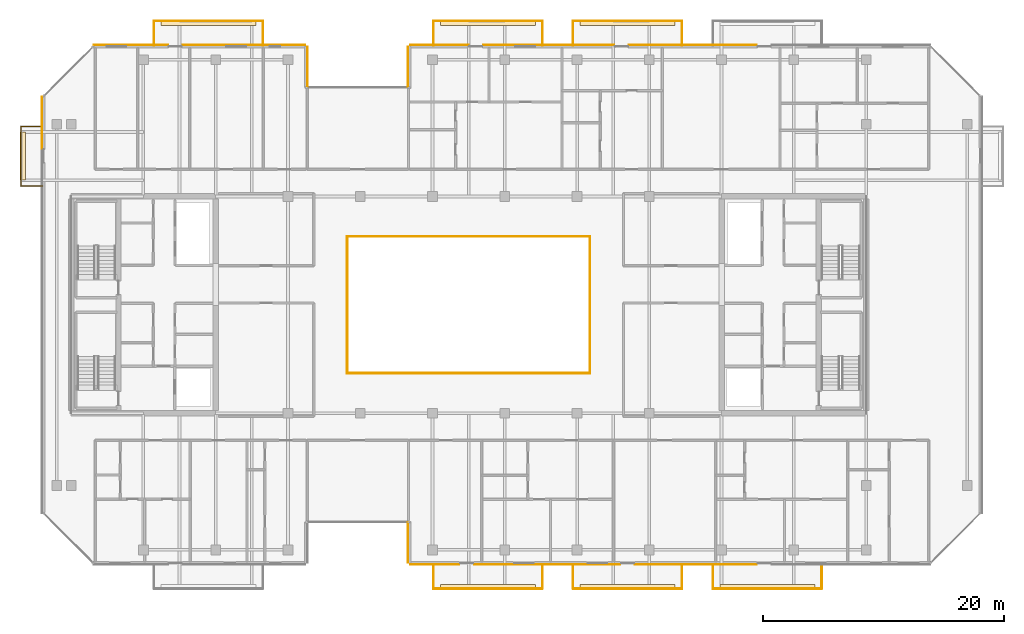
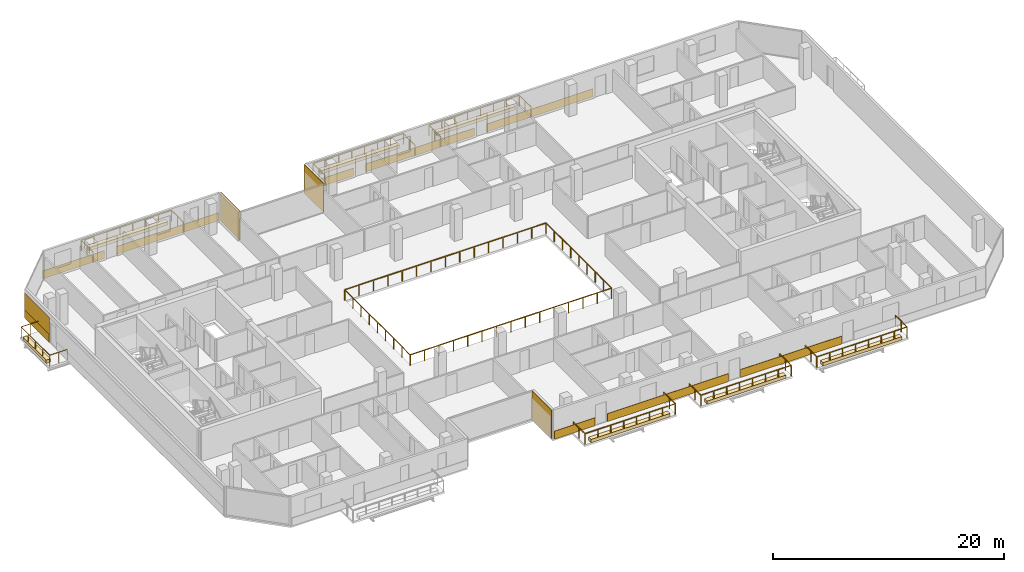
# One storey, part 27 of 29: 20 coverings, 9 railings.
"""IFC4 building model written with IfcOpenShell, lengths in metres."""

from ifc_helpers import new_model, si_unit, direction, frame, origin, origin_2d, place, context, subcontext, project, spatial, polyline, rectangle, outline, extrude, material, layer, layer_set, type_object, element, save


model = new_model("IFC4")

# Units and contexts
model_context = context("Model", 3, precision=1e-05, world=origin(), true_north=direction((0.0, 1.0)))
body_context = subcontext(model_context, "Body", "Model", "MODEL_VIEW")
ifc_project = project(units=[si_unit("LENGTHUNIT", "METRE"), si_unit("AREAUNIT", "SQUARE_METRE"), si_unit("VOLUMEUNIT", "CUBIC_METRE"), si_unit("PLANEANGLEUNIT", "RADIAN"), si_unit("MASSUNIT", "GRAM", prefix="KILO")], contexts=[model_context])

# Site, building, storey
site_placement = place(None, origin())
site = spatial("IfcSite", under=ifc_project, at=site_placement, CompositionType="ELEMENT")
building_placement = place(site_placement, origin())
building = spatial("IfcBuilding", under=site, at=building_placement, Name="Tanjung Sevakor Pilgrim Tower", CompositionType="ELEMENT")
storey_placement = place(building_placement, frame((0.0, 0.0, 188.429931640625)))
storey = spatial("IfcBuildingStorey", under=building, at=storey_placement, Name="L52", CompositionType="ELEMENT", Elevation=188.429931640625)

# Coverings
ifc_material_1 = material(Name="Reconstructed Limestone Cladding", Category="masonry")
ifc_layer_1 = layer(ifc_material_1, 0.044921875)
ifc_layer_set_1 = layer_set([ifc_layer_1], Name="COV-CLAD-LIMESTONE")
covering_type_1 = type_object("IfcCoveringType", Name="COV-CLAD-LIMESTONE", PredefinedType="CLADDING", material=ifc_layer_set_1)
covering_1_placement = place(storey_placement, frame((51.9775390625, 13.860107421875, 0.02001953125), z_axis=(0.0, 0.0, 1.0), x_axis=(0.0, -1.0, 0.0)))
element("IfcCovering", 1, at=covering_1_placement, inside=storey, type_object=covering_type_1, Name="L52 Warm Limestone Wall Cladding EW-L52-MAIN-4", PredefinedType="CLADDING", context=body_context, shape_type="SweptSolid", body=[
    extrude(rectangle(XDim=3.360107421875, YDim=0.044921875, at=origin_2d()), origin(), (0.0, 0.0, 1.0), 3.0400390625),
])
covering_2_placement = place(storey_placement, frame((54.195068359375, 12.027587890625, 0.01025390625), z_axis=(0.0, 0.0, 1.0), x_axis=(1.0, 0.0, 0.0)))
element("IfcCovering", 2, at=covering_2_placement, inside=storey, type_object=covering_type_1, Name="L52 Warm Limestone Sill Spandrel EW-L52-MAIN-5-1", PredefinedType="CLADDING", context=body_context, shape_type="SweptSolid", body=[
    extrude(rectangle(XDim=4.090087890625, YDim=0.044921875, at=origin_2d()), origin(), (0.0, 0.0, 1.0), 0.840087890625),
])
covering_3_placement = place(storey_placement, frame((63.52490234375, 12.027587890625, 0.01025390625), z_axis=(0.0, 0.0, 1.0), x_axis=(1.0, 0.0, 0.0)))
element("IfcCovering", 3, at=covering_3_placement, inside=storey, type_object=covering_type_1, Name="L52 Warm Limestone Sill Spandrel EW-L52-MAIN-5-2", PredefinedType="CLADDING", context=body_context, shape_type="SweptSolid", body=[
    extrude(rectangle(XDim=12.1298828125, YDim=0.044921875, at=origin_2d()), origin(), (0.0, 0.0, 1.0), 0.840087890625),
])
covering_4_placement = place(storey_placement, frame((75.875, 12.027587890625, 0.01025390625), z_axis=(0.0, 0.0, 1.0), x_axis=(1.0, 0.0, 0.0)))
element("IfcCovering", 4, at=covering_4_placement, inside=storey, type_object=covering_type_1, Name="L52 Warm Limestone Sill Spandrel EW-L52-MAIN-5-3", PredefinedType="CLADDING", context=body_context, shape_type="SweptSolid", body=[
    extrude(rectangle(XDim=10.1298828125, YDim=0.044921875, at=origin_2d()), origin(), (0.0, 0.0, 1.0), 0.840087890625),
])
covering_5_placement = place(storey_placement, frame((75.625, 55.172607421875, 0.01025390625), z_axis=(0.0, 0.0, 1.0), x_axis=(-1.0, 0.0, 0.0)))
element("IfcCovering", 5, at=covering_5_placement, inside=storey, type_object=covering_type_1, Name="L52 Warm Limestone Sill Spandrel EW-L52-MAIN-9-2", PredefinedType="CLADDING", context=body_context, shape_type="SweptSolid", body=[
    extrude(rectangle(XDim=10.6298828125, YDim=0.044921875, at=origin_2d()), origin(), (0.0, 0.0, 1.0), 0.840087890625),
])
covering_6_placement = place(storey_placement, frame((63.64990234375, 55.172607421875, 0.01025390625), z_axis=(0.0, 0.0, 1.0), x_axis=(-1.0, 0.0, 0.0)))
element("IfcCovering", 6, at=covering_6_placement, inside=storey, type_object=covering_type_1, Name="L52 Warm Limestone Sill Spandrel EW-L52-MAIN-9-3", PredefinedType="CLADDING", context=body_context, shape_type="SweptSolid", body=[
    extrude(rectangle(XDim=10.8798828125, YDim=0.044921875, at=origin_2d()), origin(), (0.0, 0.0, 1.0), 0.840087890625),
])
covering_7_placement = place(storey_placement, frame((54.570068359375, 55.172607421875, 0.01025390625), z_axis=(0.0, 0.0, 1.0), x_axis=(-1.0, 0.0, 0.0)))
element("IfcCovering", 7, at=covering_7_placement, inside=storey, type_object=covering_type_1, Name="L52 Warm Limestone Sill Spandrel EW-L52-MAIN-9-4", PredefinedType="CLADDING", context=body_context, shape_type="SweptSolid", body=[
    extrude(rectangle(XDim=4.840087890625, YDim=0.044921875, at=origin_2d()), origin(), (0.0, 0.0, 1.0), 0.840087890625),
])
for number, where, z_axis, x_axis, name in (
    (8, (51.9775390625, 53.340087890625, 0.02001953125), (0.0, 0.0, 1.0), (0.0, -1.0, 0.0), "L52 Warm Limestone Wall Cladding EW-L52-MAIN-10"),
    (9, (43.62255859375, 53.340087890625, 0.02001953125), (0.0, 0.0, 1.0), (0.0, 1.0, 0.0), "L52 Warm Limestone Wall Cladding EW-L52-MAIN-12"),
):
    element("IfcCovering", number, at=place(storey_placement, frame(where, z_axis=z_axis, x_axis=x_axis)), inside=storey, type_object=covering_type_1, Name=name, PredefinedType="CLADDING", context=body_context, shape_type="SweptSolid", body=[
        extrude(rectangle(XDim=3.360107421875, YDim=0.044921875, at=origin_2d()), origin(), (0.0, 0.0, 1.0), 3.0400390625),
    ])
covering_8_placement = place(storey_placement, frame((38.35498046875, 55.172607421875, 0.01025390625), z_axis=(0.0, 0.0, 1.0), x_axis=(-1.0, 0.0, 0.0)))
element("IfcCovering", 10, at=covering_8_placement, inside=storey, type_object=covering_type_1, Name="L52 Warm Limestone Sill Spandrel EW-L52-MAIN-13-1", PredefinedType="CLADDING", context=body_context, shape_type="SweptSolid", body=[
    extrude(rectangle(XDim=10.18994140625, YDim=0.044921875, at=origin_2d()), origin(), (0.0, 0.0, 1.0), 0.840087890625),
])
covering_9_placement = place(storey_placement, frame((28.962890625, 55.172607421875, 0.01025390625), z_axis=(0.0, 0.0, 1.0), x_axis=(-1.0, 0.0, 0.0)))
element("IfcCovering", 11, at=covering_9_placement, inside=storey, type_object=covering_type_1, Name="L52 Warm Limestone Sill Spandrel EW-L52-MAIN-13-2", PredefinedType="CLADDING", context=body_context, shape_type="SweptSolid", body=[
    extrude(rectangle(XDim=6.154296875, YDim=0.044921875, at=origin_2d()), origin(), (0.0, 0.0, 1.0), 0.840087890625),
])
covering_10_placement = place(storey_placement, frame((21.577392578125, 48.712158203125, 0.01025390625), z_axis=(0.0, 0.0, 1.0), x_axis=(0.0, -1.0, 0.0)))
element("IfcCovering", 12, at=covering_10_placement, inside=storey, type_object=covering_type_1, Name="L52 Warm Limestone Sill Spandrel EW-L52-MAIN-15-1", PredefinedType="CLADDING", context=body_context, shape_type="SweptSolid", body=[
    extrude(rectangle(XDim=4.304443359375, YDim=0.044921875, at=origin_2d()), origin(), (0.0, 0.0, 1.0), 0.840087890625),
])
covering_11_placement = place(storey_placement, frame((21.577392578125, 48.707275390625, 0.85009765625), z_axis=(0.0, 0.0, 1.0), x_axis=(0.0, -1.0, 0.0)))
element("IfcCovering", 13, at=covering_11_placement, inside=storey, type_object=covering_type_1, Name="L52 Warm Limestone Pier Panel EW-L52-MAIN-15-1", PredefinedType="CLADDING", context=body_context, shape_type="SweptSolid", body=[
    extrude(rectangle(XDim=4.314453125, YDim=0.044921875, at=origin_2d()), origin(), (0.0, 0.0, 1.0), 1.81005859375),
])
ifc_material_2 = material(Name="Vegetated Modular Planter Assembly", Category="organic")
ifc_layer_2 = layer(ifc_material_2, 0.35009765625)
ifc_layer_set_2 = layer_set([ifc_layer_2], Name="COV-GRN-TROUGH")
covering_type_2 = type_object("IfcCoveringType", Name="COV-GRN-TROUGH", PredefinedType="CLADDING", material=ifc_layer_set_2)
covering_12_placement = place(storey_placement, origin())
element("IfcCovering", 14, at=covering_12_placement, inside=storey, type_object=covering_type_2, Name="L52 Planted Landscape Hedge Trough BGRN-L52-MAIN-N1", PredefinedType="CLADDING", context=body_context, shape_type="SweptSolid", body=[
    extrude(outline(polyline([(31.449951171875, 56.81005859375), (39.35009765625, 56.81005859375), (39.35009765625, 57.25), (31.449951171875, 57.25), (31.449951171875, 56.81005859375)])), origin(), (0.0, 0.0, 1.0), 0.35009765625),
])
covering_13_placement = place(storey_placement, origin())
element("IfcCovering", 15, at=covering_13_placement, inside=storey, type_object=covering_type_2, Name="L52 Planted Landscape Hedge Trough BGRN-L52-MAIN-S2", PredefinedType="CLADDING", context=body_context, shape_type="SweptSolid", body=[
    extrude(outline(polyline([(54.64990234375, 9.949951171875), (62.550048828125, 9.949951171875), (62.550048828125, 10.389892578125), (54.64990234375, 10.389892578125), (54.64990234375, 9.949951171875)])), origin(), (0.0, 0.0, 1.0), 0.35009765625),
])
covering_14_placement = place(storey_placement, origin())
element("IfcCovering", 16, at=covering_14_placement, inside=storey, type_object=covering_type_2, Name="L52 Planted Landscape Hedge Trough BGRN-L52-MAIN-N2", PredefinedType="CLADDING", context=body_context, shape_type="SweptSolid", body=[
    extrude(outline(polyline([(54.64990234375, 56.81005859375), (62.550048828125, 56.81005859375), (62.550048828125, 57.25), (54.64990234375, 57.25), (54.64990234375, 56.81005859375)])), origin(), (0.0, 0.0, 1.0), 0.35009765625),
])
covering_15_placement = place(storey_placement, origin())
element("IfcCovering", 17, at=covering_15_placement, inside=storey, type_object=covering_type_2, Name="L52 Planted Landscape Hedge Trough BGRN-L52-MAIN-S3", PredefinedType="CLADDING", context=body_context, shape_type="SweptSolid", body=[
    extrude(outline(polyline([(66.25, 9.949951171875), (74.14990234375, 9.949951171875), (74.14990234375, 10.389892578125), (66.25, 10.389892578125), (66.25, 9.949951171875)])), origin(), (0.0, 0.0, 1.0), 0.35009765625),
])
covering_16_placement = place(storey_placement, origin())
element("IfcCovering", 18, at=covering_16_placement, inside=storey, type_object=covering_type_2, Name="L52 Planted Landscape Hedge Trough BGRN-L52-MAIN-N3", PredefinedType="CLADDING", context=body_context, shape_type="SweptSolid", body=[
    extrude(outline(polyline([(66.25, 56.81005859375), (74.14990234375, 56.81005859375), (74.14990234375, 57.25), (66.25, 57.25), (66.25, 56.81005859375)])), origin(), (0.0, 0.0, 1.0), 0.35009765625),
])
covering_17_placement = place(storey_placement, origin())
element("IfcCovering", 19, at=covering_17_placement, inside=storey, type_object=covering_type_2, Name="L52 Planted Landscape Hedge Trough BGRN-L52-MAIN-S4", PredefinedType="CLADDING", context=body_context, shape_type="SweptSolid", body=[
    extrude(outline(polyline([(77.85009765625, 9.949951171875), (85.75, 9.949951171875), (85.75, 10.389892578125), (77.85009765625, 10.389892578125), (77.85009765625, 9.949951171875)])), origin(), (0.0, 0.0, 1.0), 0.35009765625),
])
covering_18_placement = place(storey_placement, origin())
element("IfcCovering", 20, at=covering_18_placement, inside=storey, type_object=covering_type_2, Name="L52 Planted Landscape Hedge Trough BGRN-L52-MAIN-W1", PredefinedType="CLADDING", context=body_context, shape_type="SweptSolid", body=[
    extrude(outline(polyline([(20.18994140625, 43.949951171875), (20.18994140625, 47.949951171875), (19.75, 47.949951171875), (19.75, 43.949951171875), (20.18994140625, 43.949951171875)])), origin(), (0.0, 0.0, 1.0), 0.35009765625),
])

# Railings
ifc_material_3 = material(Name="Laminated Glass and Aluminium", Category="aluminium")
railing_type = type_object("IfcRailingType", Name="RL-BAL-BALUST", PredefinedType="BALUSTRADE", material=ifc_material_3)
railing_1_placement = place(storey_placement, frame((46.919921875, 27.919921875, 0.0)))
element("IfcRailing", 21, at=railing_1_placement, inside=storey, type_object=railing_type, Name="L52 Void Opening Balustrade 1A", PredefinedType="BALUSTRADE", context=body_context, shape_type="SweptSolid", body=[
    extrude(rectangle(XDim=0.0479, YDim=0.0479), frame((0.0, 0.0, 1.1259765625), z_axis=(1.0, 0.0, 0.0), x_axis=(0.0, 1.0, 0.0)), (0.0, 0.0, 1.0), 20.16015625),
    extrude(rectangle(XDim=0.0479, YDim=0.0479), frame((20.16015625, 0.0, 1.1259765625), z_axis=(0.0, 1.0, 0.0), x_axis=(-1.0, 0.0, 0.0)), (0.0, 0.0, 1.0), 11.360107421875),
    extrude(rectangle(XDim=0.042, YDim=0.042), origin(), (0.0, 0.0, 1.0), 1.101806640625),
    extrude(rectangle(XDim=0.042, YDim=0.042), frame((1.43994140625, 0.0, 0.0)), (0.0, 0.0, 1.0), 1.101806640625),
    extrude(rectangle(XDim=0.042, YDim=0.042), frame((2.880126953125, 0.0, 0.0)), (0.0, 0.0, 1.0), 1.101806640625),
    extrude(rectangle(XDim=0.042, YDim=0.042), frame((4.320068359375, 0.0, 0.0)), (0.0, 0.0, 1.0), 1.101806640625),
    extrude(rectangle(XDim=0.042, YDim=0.042), frame((5.760009765625, 0.0, 0.0)), (0.0, 0.0, 1.0), 1.101806640625),
    extrude(rectangle(XDim=0.042, YDim=0.042), frame((7.199951171875, 0.0, 0.0)), (0.0, 0.0, 1.0), 1.101806640625),
    extrude(rectangle(XDim=0.042, YDim=0.042), frame((8.64013671875, 0.0, 0.0)), (0.0, 0.0, 1.0), 1.101806640625),
    extrude(rectangle(XDim=0.042, YDim=0.042), frame((10.080078125, 0.0, 0.0)), (0.0, 0.0, 1.0), 1.101806640625),
    extrude(rectangle(XDim=0.042, YDim=0.042), frame((11.52001953125, 0.0, 0.0)), (0.0, 0.0, 1.0), 1.101806640625),
    extrude(rectangle(XDim=0.042, YDim=0.042), frame((12.960205078125, 0.0, 0.0)), (0.0, 0.0, 1.0), 1.101806640625),
    extrude(rectangle(XDim=0.042, YDim=0.042), frame((14.400146484375, 0.0, 0.0)), (0.0, 0.0, 1.0), 1.101806640625),
    extrude(rectangle(XDim=0.042, YDim=0.042), frame((15.840087890625, 0.0, 0.0)), (0.0, 0.0, 1.0), 1.101806640625),
    extrude(rectangle(XDim=0.042, YDim=0.042), frame((17.280029296875, 0.0, 0.0)), (0.0, 0.0, 1.0), 1.101806640625),
    extrude(rectangle(XDim=0.042, YDim=0.042), frame((18.72021484375, 0.0, 0.0)), (0.0, 0.0, 1.0), 1.101806640625),
    extrude(rectangle(XDim=0.042, YDim=0.042), frame((20.16015625, 0.0, 0.0)), (0.0, 0.0, 1.0), 1.101806640625),
    extrude(rectangle(XDim=0.042, YDim=0.042), frame((20.16015625, 1.419921875, 0.0)), (0.0, 0.0, 1.0), 1.101806640625),
    extrude(rectangle(XDim=0.042, YDim=0.042), frame((20.16015625, 2.840087890625, 0.0)), (0.0, 0.0, 1.0), 1.101806640625),
    extrude(rectangle(XDim=0.042, YDim=0.042), frame((20.16015625, 4.260009765625, 0.0)), (0.0, 0.0, 1.0), 1.101806640625),
    extrude(rectangle(XDim=0.042, YDim=0.042), frame((20.16015625, 5.68017578125, 0.0)), (0.0, 0.0, 1.0), 1.101806640625),
    extrude(rectangle(XDim=0.042, YDim=0.042), frame((20.16015625, 7.10009765625, 0.0)), (0.0, 0.0, 1.0), 1.101806640625),
    extrude(rectangle(XDim=0.042, YDim=0.042), frame((20.16015625, 8.52001953125, 0.0)), (0.0, 0.0, 1.0), 1.101806640625),
    extrude(rectangle(XDim=0.042, YDim=0.042), frame((20.16015625, 9.940185546875, 0.0)), (0.0, 0.0, 1.0), 1.101806640625),
    extrude(rectangle(XDim=0.042, YDim=0.042), frame((20.16015625, 11.360107421875, 0.0)), (0.0, 0.0, 1.0), 1.101806640625),
])
railing_2_placement = place(storey_placement, frame((67.080078125, 39.280029296875, 0.0)))
element("IfcRailing", 22, at=railing_2_placement, inside=storey, type_object=railing_type, Name="L52 Void Opening Balustrade 1B", PredefinedType="BALUSTRADE", context=body_context, shape_type="SweptSolid", body=[
    extrude(rectangle(XDim=0.0479, YDim=0.0479), frame((0.0, 0.0, 1.1259765625), z_axis=(-1.0, 0.0, 0.0), x_axis=(0.0, -1.0, 0.0)), (0.0, 0.0, 1.0), 20.16015625),
    extrude(rectangle(XDim=0.0479, YDim=0.0479), frame((-20.16015625, 0.0, 1.1259765625), z_axis=(0.0, -1.0, 0.0), x_axis=(1.0, 0.0, 0.0)), (0.0, 0.0, 1.0), 11.360107421875),
    extrude(rectangle(XDim=0.042, YDim=0.042), origin(), (0.0, 0.0, 1.0), 1.101806640625),
    extrude(rectangle(XDim=0.042, YDim=0.042), frame((-1.43994140625, 0.0, 0.0)), (0.0, 0.0, 1.0), 1.101806640625),
    extrude(rectangle(XDim=0.042, YDim=0.042), frame((-2.880126953125, 0.0, 0.0)), (0.0, 0.0, 1.0), 1.101806640625),
    extrude(rectangle(XDim=0.042, YDim=0.042), frame((-4.320068359375, 0.0, 0.0)), (0.0, 0.0, 1.0), 1.101806640625),
    extrude(rectangle(XDim=0.042, YDim=0.042), frame((-5.760009765625, 0.0, 0.0)), (0.0, 0.0, 1.0), 1.101806640625),
    extrude(rectangle(XDim=0.042, YDim=0.042), frame((-7.199951171875, 0.0, 0.0)), (0.0, 0.0, 1.0), 1.101806640625),
    extrude(rectangle(XDim=0.042, YDim=0.042), frame((-8.64013671875, 0.0, 0.0)), (0.0, 0.0, 1.0), 1.101806640625),
    extrude(rectangle(XDim=0.042, YDim=0.042), frame((-10.080078125, 0.0, 0.0)), (0.0, 0.0, 1.0), 1.101806640625),
    extrude(rectangle(XDim=0.042, YDim=0.042), frame((-11.52001953125, 0.0, 0.0)), (0.0, 0.0, 1.0), 1.101806640625),
    extrude(rectangle(XDim=0.042, YDim=0.042), frame((-12.960205078125, 0.0, 0.0)), (0.0, 0.0, 1.0), 1.101806640625),
    extrude(rectangle(XDim=0.042, YDim=0.042), frame((-14.400146484375, 0.0, 0.0)), (0.0, 0.0, 1.0), 1.101806640625),
    extrude(rectangle(XDim=0.042, YDim=0.042), frame((-15.840087890625, 0.0, 0.0)), (0.0, 0.0, 1.0), 1.101806640625),
    extrude(rectangle(XDim=0.042, YDim=0.042), frame((-17.280029296875, 0.0, 0.0)), (0.0, 0.0, 1.0), 1.101806640625),
    extrude(rectangle(XDim=0.042, YDim=0.042), frame((-18.72021484375, 0.0, 0.0)), (0.0, 0.0, 1.0), 1.101806640625),
    extrude(rectangle(XDim=0.042, YDim=0.042), frame((-20.16015625, 0.0, 0.0)), (0.0, 0.0, 1.0), 1.101806640625),
    extrude(rectangle(XDim=0.042, YDim=0.042), frame((-20.16015625, -1.419921875, 0.0)), (0.0, 0.0, 1.0), 1.101806640625),
    extrude(rectangle(XDim=0.042, YDim=0.042), frame((-20.16015625, -2.840087890625, 0.0)), (0.0, 0.0, 1.0), 1.101806640625),
    extrude(rectangle(XDim=0.042, YDim=0.042), frame((-20.16015625, -4.260009765625, 0.0)), (0.0, 0.0, 1.0), 1.101806640625),
    extrude(rectangle(XDim=0.042, YDim=0.042), frame((-20.16015625, -5.68017578125, 0.0)), (0.0, 0.0, 1.0), 1.101806640625),
    extrude(rectangle(XDim=0.042, YDim=0.042), frame((-20.16015625, -7.10009765625, 0.0)), (0.0, 0.0, 1.0), 1.101806640625),
    extrude(rectangle(XDim=0.042, YDim=0.042), frame((-20.16015625, -8.52001953125, 0.0)), (0.0, 0.0, 1.0), 1.101806640625),
    extrude(rectangle(XDim=0.042, YDim=0.042), frame((-20.16015625, -9.940185546875, 0.0)), (0.0, 0.0, 1.0), 1.101806640625),
    extrude(rectangle(XDim=0.042, YDim=0.042), frame((-20.16015625, -11.360107421875, 0.0)), (0.0, 0.0, 1.0), 1.101806640625),
])
railing_3_placement = place(storey_placement, frame((30.8798828125, 55.14990234375, 0.0)))
element("IfcRailing", 23, at=railing_3_placement, inside=storey, type_object=railing_type, Name="L52 Loggia Balustrade MAIN-N1", PredefinedType="BALUSTRADE", context=body_context, shape_type="SweptSolid", body=[
    extrude(rectangle(XDim=0.0479, YDim=0.0479), frame((0.0, 0.0, 1.1259765625), z_axis=(0.0, 1.0, 0.0), x_axis=(-1.0, 0.0, 0.0)), (0.0, 0.0, 1.0), 2.02001953125),
    extrude(rectangle(XDim=0.0479, YDim=0.0479), frame((0.0, 2.02001953125, 1.1259765625), z_axis=(1.0, 0.0, 0.0), x_axis=(0.0, 1.0, 0.0)), (0.0, 0.0, 1.0), 9.0400390625),
    extrude(rectangle(XDim=0.0479, YDim=0.0479), frame((9.0400390625, 2.02001953125, 1.1259765625), z_axis=(0.0, -1.0, 0.0), x_axis=(1.0, 0.0, 0.0)), (0.0, 0.0, 1.0), 2.02001953125),
    extrude(rectangle(XDim=0.042, YDim=0.042), origin(), (0.0, 0.0, 1.0), 1.101806640625),
    extrude(rectangle(XDim=0.042, YDim=0.042), frame((0.0, 1.010009765625, 0.0)), (0.0, 0.0, 1.0), 1.101806640625),
    extrude(rectangle(XDim=0.042, YDim=0.042), frame((0.0, 2.02001953125, 0.0)), (0.0, 0.0, 1.0), 1.101806640625),
    extrude(rectangle(XDim=0.042, YDim=0.042), frame((1.29150390625, 2.02001953125, 0.0)), (0.0, 0.0, 1.0), 1.101806640625),
    extrude(rectangle(XDim=0.042, YDim=0.042), frame((2.582763671875, 2.02001953125, 0.0)), (0.0, 0.0, 1.0), 1.101806640625),
    extrude(rectangle(XDim=0.042, YDim=0.042), frame((3.874267578125, 2.02001953125, 0.0)), (0.0, 0.0, 1.0), 1.101806640625),
    extrude(rectangle(XDim=0.042, YDim=0.042), frame((5.165771484375, 2.02001953125, 0.0)), (0.0, 0.0, 1.0), 1.101806640625),
    extrude(rectangle(XDim=0.042, YDim=0.042), frame((6.457275390625, 2.02001953125, 0.0)), (0.0, 0.0, 1.0), 1.101806640625),
    extrude(rectangle(XDim=0.042, YDim=0.042), frame((7.74853515625, 2.02001953125, 0.0)), (0.0, 0.0, 1.0), 1.101806640625),
    extrude(rectangle(XDim=0.042, YDim=0.042), frame((9.0400390625, 2.02001953125, 0.0)), (0.0, 0.0, 1.0), 1.101806640625),
    extrude(rectangle(XDim=0.042, YDim=0.042), frame((9.0400390625, 1.010009765625, 0.0)), (0.0, 0.0, 1.0), 1.101806640625),
    extrude(rectangle(XDim=0.042, YDim=0.042), frame((9.0400390625, 0.0, 0.0)), (0.0, 0.0, 1.0), 1.101806640625),
])
railing_4_placement = place(storey_placement, frame((54.080078125, 12.050048828125, 0.0)))
element("IfcRailing", 24, at=railing_4_placement, inside=storey, type_object=railing_type, Name="L52 Loggia Balustrade MAIN-S2", PredefinedType="BALUSTRADE", context=body_context, shape_type="SweptSolid", body=[
    extrude(rectangle(XDim=0.0479, YDim=0.0479), frame((0.0, 0.0, 1.1259765625), z_axis=(0.0, -1.0, 0.0), x_axis=(1.0, 0.0, 0.0)), (0.0, 0.0, 1.0), 2.02001953125),
    extrude(rectangle(XDim=0.0479, YDim=0.0479), frame((0.0, -2.02001953125, 1.1259765625), z_axis=(1.0, 0.0, 0.0), x_axis=(0.0, 1.0, 0.0)), (0.0, 0.0, 1.0), 9.0400390625),
    extrude(rectangle(XDim=0.0479, YDim=0.0479), frame((9.0400390625, -2.02001953125, 1.1259765625), z_axis=(0.0, 1.0, 0.0), x_axis=(-1.0, 0.0, 0.0)), (0.0, 0.0, 1.0), 2.02001953125),
    extrude(rectangle(XDim=0.042, YDim=0.042), origin(), (0.0, 0.0, 1.0), 1.101806640625),
    extrude(rectangle(XDim=0.042, YDim=0.042), frame((0.0, -1.010009765625, 0.0)), (0.0, 0.0, 1.0), 1.101806640625),
    extrude(rectangle(XDim=0.042, YDim=0.042), frame((0.0, -2.02001953125, 0.0)), (0.0, 0.0, 1.0), 1.101806640625),
    extrude(rectangle(XDim=0.042, YDim=0.042), frame((1.29150390625, -2.02001953125, 0.0)), (0.0, 0.0, 1.0), 1.101806640625),
    extrude(rectangle(XDim=0.042, YDim=0.042), frame((2.582763671875, -2.02001953125, 0.0)), (0.0, 0.0, 1.0), 1.101806640625),
    extrude(rectangle(XDim=0.042, YDim=0.042), frame((3.874267578125, -2.02001953125, 0.0)), (0.0, 0.0, 1.0), 1.101806640625),
    extrude(rectangle(XDim=0.042, YDim=0.042), frame((5.165771484375, -2.02001953125, 0.0)), (0.0, 0.0, 1.0), 1.101806640625),
    extrude(rectangle(XDim=0.042, YDim=0.042), frame((6.457275390625, -2.02001953125, 0.0)), (0.0, 0.0, 1.0), 1.101806640625),
    extrude(rectangle(XDim=0.042, YDim=0.042), frame((7.74853515625, -2.02001953125, 0.0)), (0.0, 0.0, 1.0), 1.101806640625),
    extrude(rectangle(XDim=0.042, YDim=0.042), frame((9.0400390625, -2.02001953125, 0.0)), (0.0, 0.0, 1.0), 1.101806640625),
    extrude(rectangle(XDim=0.042, YDim=0.042), frame((9.0400390625, -1.010009765625, 0.0)), (0.0, 0.0, 1.0), 1.101806640625),
    extrude(rectangle(XDim=0.042, YDim=0.042), frame((9.0400390625, 0.0, 0.0)), (0.0, 0.0, 1.0), 1.101806640625),
])
railing_5_placement = place(storey_placement, frame((54.080078125, 55.14990234375, 0.0)))
element("IfcRailing", 25, at=railing_5_placement, inside=storey, type_object=railing_type, Name="L52 Loggia Balustrade MAIN-N2", PredefinedType="BALUSTRADE", context=body_context, shape_type="SweptSolid", body=[
    extrude(rectangle(XDim=0.0479, YDim=0.0479), frame((0.0, 0.0, 1.1259765625), z_axis=(0.0, 1.0, 0.0), x_axis=(-1.0, 0.0, 0.0)), (0.0, 0.0, 1.0), 2.02001953125),
    extrude(rectangle(XDim=0.0479, YDim=0.0479), frame((0.0, 2.02001953125, 1.1259765625), z_axis=(1.0, 0.0, 0.0), x_axis=(0.0, 1.0, 0.0)), (0.0, 0.0, 1.0), 9.0400390625),
    extrude(rectangle(XDim=0.0479, YDim=0.0479), frame((9.0400390625, 2.02001953125, 1.1259765625), z_axis=(0.0, -1.0, 0.0), x_axis=(1.0, 0.0, 0.0)), (0.0, 0.0, 1.0), 2.02001953125),
    extrude(rectangle(XDim=0.042, YDim=0.042), origin(), (0.0, 0.0, 1.0), 1.101806640625),
    extrude(rectangle(XDim=0.042, YDim=0.042), frame((0.0, 1.010009765625, 0.0)), (0.0, 0.0, 1.0), 1.101806640625),
    extrude(rectangle(XDim=0.042, YDim=0.042), frame((0.0, 2.02001953125, 0.0)), (0.0, 0.0, 1.0), 1.101806640625),
    extrude(rectangle(XDim=0.042, YDim=0.042), frame((1.29150390625, 2.02001953125, 0.0)), (0.0, 0.0, 1.0), 1.101806640625),
    extrude(rectangle(XDim=0.042, YDim=0.042), frame((2.582763671875, 2.02001953125, 0.0)), (0.0, 0.0, 1.0), 1.101806640625),
    extrude(rectangle(XDim=0.042, YDim=0.042), frame((3.874267578125, 2.02001953125, 0.0)), (0.0, 0.0, 1.0), 1.101806640625),
    extrude(rectangle(XDim=0.042, YDim=0.042), frame((5.165771484375, 2.02001953125, 0.0)), (0.0, 0.0, 1.0), 1.101806640625),
    extrude(rectangle(XDim=0.042, YDim=0.042), frame((6.457275390625, 2.02001953125, 0.0)), (0.0, 0.0, 1.0), 1.101806640625),
    extrude(rectangle(XDim=0.042, YDim=0.042), frame((7.74853515625, 2.02001953125, 0.0)), (0.0, 0.0, 1.0), 1.101806640625),
    extrude(rectangle(XDim=0.042, YDim=0.042), frame((9.0400390625, 2.02001953125, 0.0)), (0.0, 0.0, 1.0), 1.101806640625),
    extrude(rectangle(XDim=0.042, YDim=0.042), frame((9.0400390625, 1.010009765625, 0.0)), (0.0, 0.0, 1.0), 1.101806640625),
    extrude(rectangle(XDim=0.042, YDim=0.042), frame((9.0400390625, 0.0, 0.0)), (0.0, 0.0, 1.0), 1.101806640625),
])
railing_6_placement = place(storey_placement, frame((65.679931640625, 12.050048828125, 0.0)))
element("IfcRailing", 26, at=railing_6_placement, inside=storey, type_object=railing_type, Name="L52 Loggia Balustrade MAIN-S3", PredefinedType="BALUSTRADE", context=body_context, shape_type="SweptSolid", body=[
    extrude(rectangle(XDim=0.0479, YDim=0.0479), frame((0.0, 0.0, 1.1259765625), z_axis=(0.0, -1.0, 0.0), x_axis=(1.0, 0.0, 0.0)), (0.0, 0.0, 1.0), 2.02001953125),
    extrude(rectangle(XDim=0.0479, YDim=0.0479), frame((0.0, -2.02001953125, 1.1259765625), z_axis=(1.0, 0.0, 0.0), x_axis=(0.0, 1.0, 0.0)), (0.0, 0.0, 1.0), 9.0400390625),
    extrude(rectangle(XDim=0.0479, YDim=0.0479), frame((9.0400390625, -2.02001953125, 1.1259765625), z_axis=(0.0, 1.0, 0.0), x_axis=(-1.0, 0.0, 0.0)), (0.0, 0.0, 1.0), 2.02001953125),
    extrude(rectangle(XDim=0.042, YDim=0.042), origin(), (0.0, 0.0, 1.0), 1.101806640625),
    extrude(rectangle(XDim=0.042, YDim=0.042), frame((0.0, -1.010009765625, 0.0)), (0.0, 0.0, 1.0), 1.101806640625),
    extrude(rectangle(XDim=0.042, YDim=0.042), frame((0.0, -2.02001953125, 0.0)), (0.0, 0.0, 1.0), 1.101806640625),
    extrude(rectangle(XDim=0.042, YDim=0.042), frame((1.29150390625, -2.02001953125, 0.0)), (0.0, 0.0, 1.0), 1.101806640625),
    extrude(rectangle(XDim=0.042, YDim=0.042), frame((2.582763671875, -2.02001953125, 0.0)), (0.0, 0.0, 1.0), 1.101806640625),
    extrude(rectangle(XDim=0.042, YDim=0.042), frame((3.874267578125, -2.02001953125, 0.0)), (0.0, 0.0, 1.0), 1.101806640625),
    extrude(rectangle(XDim=0.042, YDim=0.042), frame((5.165771484375, -2.02001953125, 0.0)), (0.0, 0.0, 1.0), 1.101806640625),
    extrude(rectangle(XDim=0.042, YDim=0.042), frame((6.457275390625, -2.02001953125, 0.0)), (0.0, 0.0, 1.0), 1.101806640625),
    extrude(rectangle(XDim=0.042, YDim=0.042), frame((7.74853515625, -2.02001953125, 0.0)), (0.0, 0.0, 1.0), 1.101806640625),
    extrude(rectangle(XDim=0.042, YDim=0.042), frame((9.0400390625, -2.02001953125, 0.0)), (0.0, 0.0, 1.0), 1.101806640625),
    extrude(rectangle(XDim=0.042, YDim=0.042), frame((9.0400390625, -1.010009765625, 0.0)), (0.0, 0.0, 1.0), 1.101806640625),
    extrude(rectangle(XDim=0.042, YDim=0.042), frame((9.0400390625, 0.0, 0.0)), (0.0, 0.0, 1.0), 1.101806640625),
])
railing_7_placement = place(storey_placement, frame((65.679931640625, 55.14990234375, 0.0)))
element("IfcRailing", 27, at=railing_7_placement, inside=storey, type_object=railing_type, Name="L52 Loggia Balustrade MAIN-N3", PredefinedType="BALUSTRADE", context=body_context, shape_type="SweptSolid", body=[
    extrude(rectangle(XDim=0.0479, YDim=0.0479), frame((0.0, 0.0, 1.1259765625), z_axis=(0.0, 1.0, 0.0), x_axis=(-1.0, 0.0, 0.0)), (0.0, 0.0, 1.0), 2.02001953125),
    extrude(rectangle(XDim=0.0479, YDim=0.0479), frame((0.0, 2.02001953125, 1.1259765625), z_axis=(1.0, 0.0, 0.0), x_axis=(0.0, 1.0, 0.0)), (0.0, 0.0, 1.0), 9.0400390625),
    extrude(rectangle(XDim=0.0479, YDim=0.0479), frame((9.0400390625, 2.02001953125, 1.1259765625), z_axis=(0.0, -1.0, 0.0), x_axis=(1.0, 0.0, 0.0)), (0.0, 0.0, 1.0), 2.02001953125),
    extrude(rectangle(XDim=0.042, YDim=0.042), origin(), (0.0, 0.0, 1.0), 1.101806640625),
    extrude(rectangle(XDim=0.042, YDim=0.042), frame((0.0, 1.010009765625, 0.0)), (0.0, 0.0, 1.0), 1.101806640625),
    extrude(rectangle(XDim=0.042, YDim=0.042), frame((0.0, 2.02001953125, 0.0)), (0.0, 0.0, 1.0), 1.101806640625),
    extrude(rectangle(XDim=0.042, YDim=0.042), frame((1.29150390625, 2.02001953125, 0.0)), (0.0, 0.0, 1.0), 1.101806640625),
    extrude(rectangle(XDim=0.042, YDim=0.042), frame((2.582763671875, 2.02001953125, 0.0)), (0.0, 0.0, 1.0), 1.101806640625),
    extrude(rectangle(XDim=0.042, YDim=0.042), frame((3.874267578125, 2.02001953125, 0.0)), (0.0, 0.0, 1.0), 1.101806640625),
    extrude(rectangle(XDim=0.042, YDim=0.042), frame((5.165771484375, 2.02001953125, 0.0)), (0.0, 0.0, 1.0), 1.101806640625),
    extrude(rectangle(XDim=0.042, YDim=0.042), frame((6.457275390625, 2.02001953125, 0.0)), (0.0, 0.0, 1.0), 1.101806640625),
    extrude(rectangle(XDim=0.042, YDim=0.042), frame((7.74853515625, 2.02001953125, 0.0)), (0.0, 0.0, 1.0), 1.101806640625),
    extrude(rectangle(XDim=0.042, YDim=0.042), frame((9.0400390625, 2.02001953125, 0.0)), (0.0, 0.0, 1.0), 1.101806640625),
    extrude(rectangle(XDim=0.042, YDim=0.042), frame((9.0400390625, 1.010009765625, 0.0)), (0.0, 0.0, 1.0), 1.101806640625),
    extrude(rectangle(XDim=0.042, YDim=0.042), frame((9.0400390625, 0.0, 0.0)), (0.0, 0.0, 1.0), 1.101806640625),
])
railing_8_placement = place(storey_placement, frame((77.280029296875, 12.050048828125, 0.0)))
element("IfcRailing", 28, at=railing_8_placement, inside=storey, type_object=railing_type, Name="L52 Loggia Balustrade MAIN-S4", PredefinedType="BALUSTRADE", context=body_context, shape_type="SweptSolid", body=[
    extrude(rectangle(XDim=0.0479, YDim=0.0479), frame((0.0, 0.0, 1.1259765625), z_axis=(0.0, -1.0, 0.0), x_axis=(1.0, 0.0, 0.0)), (0.0, 0.0, 1.0), 2.02001953125),
    extrude(rectangle(XDim=0.0479, YDim=0.0479), frame((0.0, -2.02001953125, 1.1259765625), z_axis=(1.0, 0.0, 0.0), x_axis=(0.0, 1.0, 0.0)), (0.0, 0.0, 1.0), 9.0400390625),
    extrude(rectangle(XDim=0.0479, YDim=0.0479), frame((9.0400390625, -2.02001953125, 1.1259765625), z_axis=(0.0, 1.0, 0.0), x_axis=(-1.0, 0.0, 0.0)), (0.0, 0.0, 1.0), 2.02001953125),
    extrude(rectangle(XDim=0.042, YDim=0.042), origin(), (0.0, 0.0, 1.0), 1.101806640625),
    extrude(rectangle(XDim=0.042, YDim=0.042), frame((0.0, -1.010009765625, 0.0)), (0.0, 0.0, 1.0), 1.101806640625),
    extrude(rectangle(XDim=0.042, YDim=0.042), frame((0.0, -2.02001953125, 0.0)), (0.0, 0.0, 1.0), 1.101806640625),
    extrude(rectangle(XDim=0.042, YDim=0.042), frame((1.29150390625, -2.02001953125, 0.0)), (0.0, 0.0, 1.0), 1.101806640625),
    extrude(rectangle(XDim=0.042, YDim=0.042), frame((2.582763671875, -2.02001953125, 0.0)), (0.0, 0.0, 1.0), 1.101806640625),
    extrude(rectangle(XDim=0.042, YDim=0.042), frame((3.874267578125, -2.02001953125, 0.0)), (0.0, 0.0, 1.0), 1.101806640625),
    extrude(rectangle(XDim=0.042, YDim=0.042), frame((5.165771484375, -2.02001953125, 0.0)), (0.0, 0.0, 1.0), 1.101806640625),
    extrude(rectangle(XDim=0.042, YDim=0.042), frame((6.457275390625, -2.02001953125, 0.0)), (0.0, 0.0, 1.0), 1.101806640625),
    extrude(rectangle(XDim=0.042, YDim=0.042), frame((7.74853515625, -2.02001953125, 0.0)), (0.0, 0.0, 1.0), 1.101806640625),
    extrude(rectangle(XDim=0.042, YDim=0.042), frame((9.0400390625, -2.02001953125, 0.0)), (0.0, 0.0, 1.0), 1.101806640625),
    extrude(rectangle(XDim=0.042, YDim=0.042), frame((9.0400390625, -1.010009765625, 0.0)), (0.0, 0.0, 1.0), 1.101806640625),
    extrude(rectangle(XDim=0.042, YDim=0.042), frame((9.0400390625, 0.0, 0.0)), (0.0, 0.0, 1.0), 1.101806640625),
])
railing_9_placement = place(storey_placement, frame((21.60009765625, 43.47998046875, 0.0)))
element("IfcRailing", 29, at=railing_9_placement, inside=storey, type_object=railing_type, Name="L52 Loggia Balustrade MAIN-W1", PredefinedType="BALUSTRADE", context=body_context, shape_type="SweptSolid", body=[
    extrude(rectangle(XDim=0.0479, YDim=0.0479), frame((0.0, 0.0, 1.1259765625), z_axis=(-1.0, 0.0, 0.0), x_axis=(0.0, -1.0, 0.0)), (0.0, 0.0, 1.0), 1.77001953125),
    extrude(rectangle(XDim=0.0479, YDim=0.0479), frame((-1.77001953125, 0.0, 1.1259765625), z_axis=(0.0, 1.0, 0.0), x_axis=(-1.0, 0.0, 0.0)), (0.0, 0.0, 1.0), 4.93994140625),
    extrude(rectangle(XDim=0.0479, YDim=0.0479), frame((-1.77001953125, 4.93994140625, 1.1259765625), z_axis=(1.0, 0.0, 0.0), x_axis=(0.0, 1.0, 0.0)), (0.0, 0.0, 1.0), 1.77001953125),
    extrude(rectangle(XDim=0.042, YDim=0.042), origin(), (0.0, 0.0, 1.0), 1.101806640625),
    extrude(rectangle(XDim=0.042, YDim=0.042), frame((-0.885009765625, 0.0, 0.0)), (0.0, 0.0, 1.0), 1.101806640625),
    extrude(rectangle(XDim=0.042, YDim=0.042), frame((-1.77001953125, 0.0, 0.0)), (0.0, 0.0, 1.0), 1.101806640625),
    extrude(rectangle(XDim=0.042, YDim=0.042), frame((-1.77001953125, 1.23486328125, 0.0)), (0.0, 0.0, 1.0), 1.101806640625),
    extrude(rectangle(XDim=0.042, YDim=0.042), frame((-1.77001953125, 2.469970703125, 0.0)), (0.0, 0.0, 1.0), 1.101806640625),
    extrude(rectangle(XDim=0.042, YDim=0.042), frame((-1.77001953125, 3.705078125, 0.0)), (0.0, 0.0, 1.0), 1.101806640625),
    extrude(rectangle(XDim=0.042, YDim=0.042), frame((-1.77001953125, 4.93994140625, 0.0)), (0.0, 0.0, 1.0), 1.101806640625),
    extrude(rectangle(XDim=0.042, YDim=0.042), frame((-0.885009765625, 4.93994140625, 0.0)), (0.0, 0.0, 1.0), 1.101806640625),
    extrude(rectangle(XDim=0.042, YDim=0.042), frame((0.0, 4.93994140625, 0.0)), (0.0, 0.0, 1.0), 1.101806640625),
])

save(model, "model.ifc")
